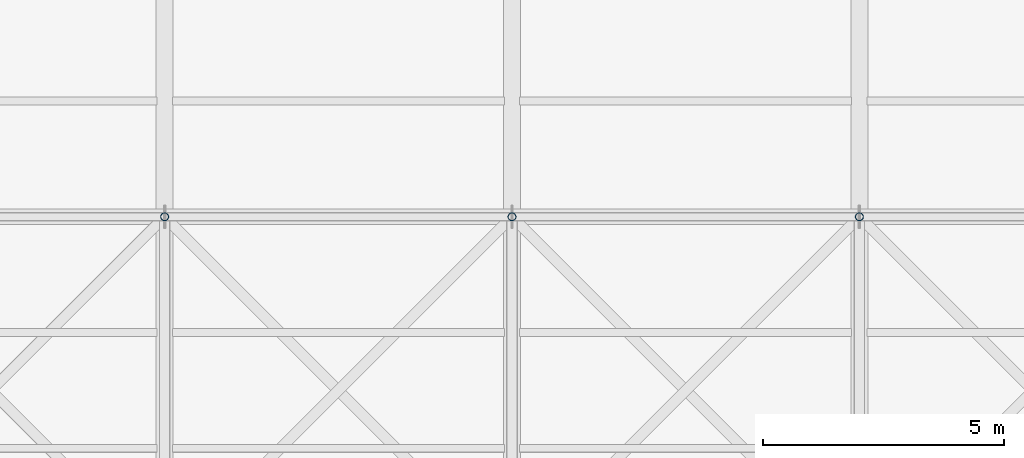
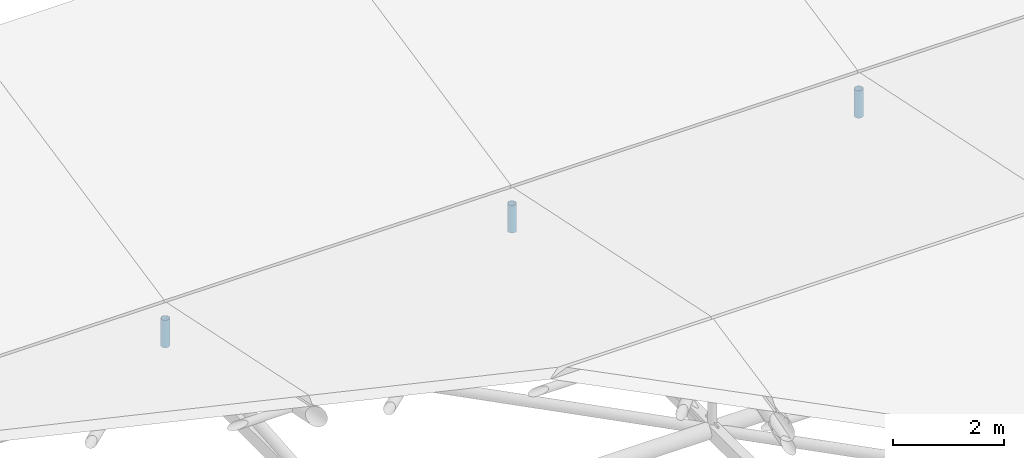
# One storey, part 46 of 72: 3 members.
"""IFC4 building model written with IfcOpenShell, lengths in metres."""

from ifc_helpers import new_model, si_unit, direction, frame, origin, origin_2d, place, context, subcontext, project, spatial, hollow_circle, extrude, material, material_profile, profile_set, type_object, element, save


model = new_model("IFC4")

# Units and contexts
model_context = context("Model", 3, precision=1e-05, world=origin(), true_north=direction((0.0, 1.0)))
body_context = subcontext(model_context, "Body", "Model", "MODEL_VIEW")
ifc_project = project(units=[si_unit("LENGTHUNIT", "METRE"), si_unit("AREAUNIT", "SQUARE_METRE"), si_unit("VOLUMEUNIT", "CUBIC_METRE"), si_unit("PLANEANGLEUNIT", "RADIAN"), si_unit("MASSUNIT", "GRAM", prefix="KILO")], contexts=[model_context])

# Site, building, storey
site_placement = place(None, origin())
site = spatial("IfcSite", under=ifc_project, at=site_placement, CompositionType="ELEMENT")
building_placement = place(site_placement, origin())
building = spatial("IfcBuilding", under=site, at=building_placement, Name="Vaelcorin Mobility Hub", CompositionType="ELEMENT")
storey_placement = place(building_placement, frame((0.0, 0.0, 25.800048828125)))
storey = spatial("IfcBuildingStorey", under=building, at=storey_placement, Name="RF", CompositionType="ELEMENT", Elevation=25.800048828125)

# Members
ifc_material = material(Name="Steel ASTM A500 Grade C", Category="steel")
ifc_material_profile = material_profile(ifc_material, hollow_circle(Radius=0.084228515625, WallThickness=0.0078125, at=origin_2d()), Name="HSS6.625X0.312")
ifc_profile_set = profile_set([ifc_material_profile], Name="Steel ASTM A500 Grade C")
member_type = type_object("IfcMemberType", Name="TR-POST-6", PredefinedType="POST", material=ifc_profile_set)
for number, where, z_axis, x_axis, name in (
    (1, (50.39990234375, 112.800048828125, -2.10009765625), (0.0, 0.0, 1.0), (1.0, 0.0, 0.0), "Sports Pavilion Roof Truss Post 2-4"),
    (2, (57.60009765625, 112.800048828125, -2.10009765625), (0.0, 0.0, 1.0), (1.0, 0.0, 0.0), "Sports Pavilion Roof Truss Post 3-4"),
    (3, (64.800048828125, 112.800048828125, -2.10009765625), (0.0, 0.0, 1.0), (1.0, 0.0, 0.0), "Sports Pavilion Roof Truss Post 4-4"),
):
    element("IfcMember", number, at=place(storey_placement, frame(where, z_axis=z_axis, x_axis=x_axis)), inside=storey, type_object=member_type, Name=name, PredefinedType="POST", context=body_context, shape_type="SweptSolid", body=[
        extrude(hollow_circle(Radius=0.084228515625, WallThickness=0.0078125, at=origin_2d()), origin(), (0.0, 0.0, 1.0), 0.60009765625),
    ])

save(model, "model.ifc")
